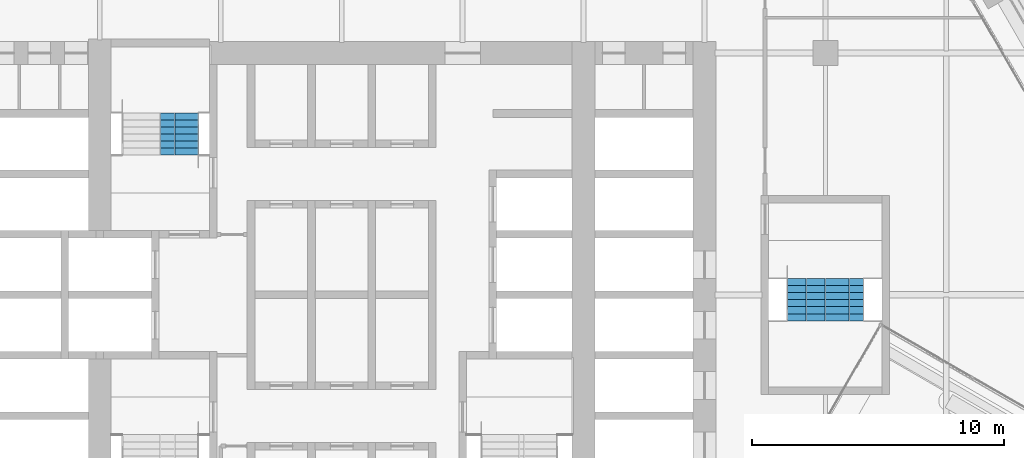
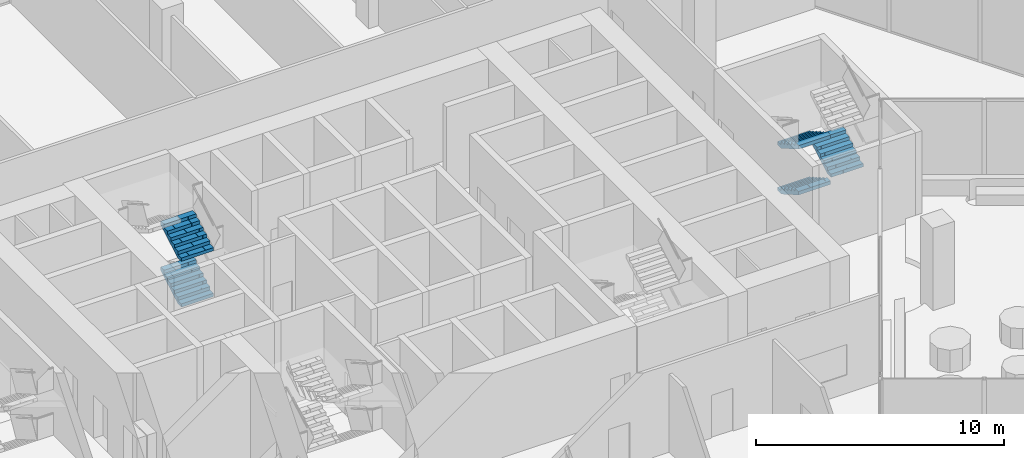
# One storey, part 21 of 25: 5 stair flights, 2 elements without a shape of their own.
"""IFC4 building model written with IfcOpenShell, lengths in metres."""

from ifc_helpers import new_model, si_unit, direction, frame, origin, place, context, subcontext, project, spatial, polyline, outline, extrude, material, type_object, element, aggregate, save


model = new_model("IFC4")

# Units and contexts
model_context = context("Model", 3, precision=1e-05, world=origin(), true_north=direction((0.0, 1.0)))
body_context = subcontext(model_context, "Body", "Model", "MODEL_VIEW")
ifc_project = project(units=[si_unit("LENGTHUNIT", "METRE"), si_unit("AREAUNIT", "SQUARE_METRE"), si_unit("VOLUMEUNIT", "CUBIC_METRE"), si_unit("PLANEANGLEUNIT", "RADIAN"), si_unit("MASSUNIT", "GRAM", prefix="KILO")], contexts=[model_context])

# Site, building, storey
site_placement = place(None, origin())
site = spatial("IfcSite", under=ifc_project, at=site_placement, CompositionType="ELEMENT")
building_placement = place(site_placement, origin())
building = spatial("IfcBuilding", under=site, at=building_placement, Name="Kolab Exchange Tower", CompositionType="ELEMENT")
storey_placement = place(building_placement, frame((0.0, 0.0, 91.39990234375)))
storey = spatial("IfcBuildingStorey", under=building, at=storey_placement, Name="L17", CompositionType="ELEMENT", Elevation=91.39990234375)

# Stair, stair flights
ifc_material = material(Name="Concrete C50/60", Category="concrete")
stair_type_1 = type_object("IfcStairType", Name="STAIR ST1 RISER 160.7", PredefinedType="DOUBLE_RETURN_STAIR", material=ifc_material)
stair_1_placement = place(storey_placement, origin())
stair_1 = element("IfcStair", 1, at=stair_1_placement, inside=storey, type_object=stair_type_1, Name="Stair 1", PredefinedType="DOUBLE_RETURN_STAIR")
stair_flight_type = type_object("IfcStairFlightType", Name="STAIR FLIGHT 1500 RISER 160.7", PredefinedType="STRAIGHT", material=ifc_material)
stair_flight_1_placement = place(storey_placement, frame((-6.43994140625, 5.550048828125, 0.0), z_axis=(0.0, 0.0, 1.0), x_axis=(0.0, 1.0, 0.0)))
stair_flight_1 = element("IfcStairFlight", 2, at=stair_flight_1_placement, type_object=stair_flight_type, Name="ST1 flight 1", NumberOfRisers=7, NumberOfTreads=6, PredefinedType="STRAIGHT", RiserHeight=0.160714286, TreadLength=0.28, context=body_context, shape_type="SweptSolid", body=[
    extrude(outline(polyline([(0.0, 0.0), (0.0, 0.16064453125), (0.280029296875, 0.16064453125), (0.280029296875, 0.321533203125), (0.56005859375, 0.321533203125), (0.56005859375, 0.482177734375), (0.840087890625, 0.482177734375), (0.840087890625, 0.642822265625), (1.1201171875, 0.642822265625), (1.1201171875, 0.803466796875), (1.39990234375, 0.803466796875), (1.39990234375, 0.96435546875), (1.679931640625, 0.96435546875), (1.679931640625, 1.125), (1.679931640625, 0.79150390625), (0.301025390625, 0.0), (0.0, 0.0)])), frame((0.0, 0.75, 0.0), z_axis=(0.0, -1.0, 0.0), x_axis=(1.0, 0.0, 0.0)), (0.0, 0.0, 1.0), 0.185791015625),
    extrude(outline(polyline([(0.0, 0.0), (0.0, 0.16064453125), (0.280029296875, 0.16064453125), (0.280029296875, 0.321533203125), (0.56005859375, 0.321533203125), (0.56005859375, 0.482177734375), (0.840087890625, 0.482177734375), (0.840087890625, 0.642822265625), (1.1201171875, 0.642822265625), (1.1201171875, 0.803466796875), (1.39990234375, 0.803466796875), (1.39990234375, 0.96435546875), (1.679931640625, 0.96435546875), (1.679931640625, 1.125), (1.679931640625, 0.79150390625), (0.301025390625, 0.0), (0.0, 0.0)])), frame((0.0, 0.562255859375, 0.0), z_axis=(0.0, -1.0, 0.0), x_axis=(1.0, 0.0, 0.0)), (0.0, 0.0, 1.0), 0.185791015625),
    extrude(outline(polyline([(0.0, 0.0), (0.0, 0.16064453125), (0.280029296875, 0.16064453125), (0.280029296875, 0.321533203125), (0.56005859375, 0.321533203125), (0.56005859375, 0.482177734375), (0.840087890625, 0.482177734375), (0.840087890625, 0.642822265625), (1.1201171875, 0.642822265625), (1.1201171875, 0.803466796875), (1.39990234375, 0.803466796875), (1.39990234375, 0.96435546875), (1.679931640625, 0.96435546875), (1.679931640625, 1.125), (1.679931640625, 0.79150390625), (0.301025390625, 0.0), (0.0, 0.0)])), frame((0.0, 0.37451171875, 0.0), z_axis=(0.0, -1.0, 0.0), x_axis=(1.0, 0.0, 0.0)), (0.0, 0.0, 1.0), 0.185791015625),
    extrude(outline(polyline([(0.0, 0.0), (0.0, 0.16064453125), (0.280029296875, 0.16064453125), (0.280029296875, 0.321533203125), (0.56005859375, 0.321533203125), (0.56005859375, 0.482177734375), (0.840087890625, 0.482177734375), (0.840087890625, 0.642822265625), (1.1201171875, 0.642822265625), (1.1201171875, 0.803466796875), (1.39990234375, 0.803466796875), (1.39990234375, 0.96435546875), (1.679931640625, 0.96435546875), (1.679931640625, 1.125), (1.679931640625, 0.79150390625), (0.301025390625, 0.0), (0.0, 0.0)])), frame((0.0, 0.186767578125, 0.0), z_axis=(0.0, -1.0, 0.0), x_axis=(1.0, 0.0, 0.0)), (0.0, 0.0, 1.0), 0.185791015625),
    extrude(outline(polyline([(0.0, 0.0), (0.0, 0.16064453125), (0.280029296875, 0.16064453125), (0.280029296875, 0.321533203125), (0.56005859375, 0.321533203125), (0.56005859375, 0.482177734375), (0.840087890625, 0.482177734375), (0.840087890625, 0.642822265625), (1.1201171875, 0.642822265625), (1.1201171875, 0.803466796875), (1.39990234375, 0.803466796875), (1.39990234375, 0.96435546875), (1.679931640625, 0.96435546875), (1.679931640625, 1.125), (1.679931640625, 0.79150390625), (0.301025390625, 0.0), (0.0, 0.0)])), frame((0.0, -0.0009765625, 0.0), z_axis=(0.0, -1.0, 0.0), x_axis=(1.0, 0.0, 0.0)), (0.0, 0.0, 1.0), 0.185791015625),
    extrude(outline(polyline([(0.0, 0.0), (0.0, 0.16064453125), (0.280029296875, 0.16064453125), (0.280029296875, 0.321533203125), (0.56005859375, 0.321533203125), (0.56005859375, 0.482177734375), (0.840087890625, 0.482177734375), (0.840087890625, 0.642822265625), (1.1201171875, 0.642822265625), (1.1201171875, 0.803466796875), (1.39990234375, 0.803466796875), (1.39990234375, 0.96435546875), (1.679931640625, 0.96435546875), (1.679931640625, 1.125), (1.679931640625, 0.79150390625), (0.301025390625, 0.0), (0.0, 0.0)])), frame((0.0, -0.188720703125, 0.0), z_axis=(0.0, -1.0, 0.0), x_axis=(1.0, 0.0, 0.0)), (0.0, 0.0, 1.0), 0.185791015625),
    extrude(outline(polyline([(0.0, 0.0), (0.0, 0.16064453125), (0.280029296875, 0.16064453125), (0.280029296875, 0.321533203125), (0.56005859375, 0.321533203125), (0.56005859375, 0.482177734375), (0.840087890625, 0.482177734375), (0.840087890625, 0.642822265625), (1.1201171875, 0.642822265625), (1.1201171875, 0.803466796875), (1.39990234375, 0.803466796875), (1.39990234375, 0.96435546875), (1.679931640625, 0.96435546875), (1.679931640625, 1.125), (1.679931640625, 0.79150390625), (0.301025390625, 0.0), (0.0, 0.0)])), frame((0.0, -0.37646484375, 0.0), z_axis=(0.0, -1.0, 0.0), x_axis=(1.0, 0.0, 0.0)), (0.0, 0.0, 1.0), 0.185791015625),
    extrude(outline(polyline([(0.0, 0.0), (0.0, 0.16064453125), (0.280029296875, 0.16064453125), (0.280029296875, 0.321533203125), (0.56005859375, 0.321533203125), (0.56005859375, 0.482177734375), (0.840087890625, 0.482177734375), (0.840087890625, 0.642822265625), (1.1201171875, 0.642822265625), (1.1201171875, 0.803466796875), (1.39990234375, 0.803466796875), (1.39990234375, 0.96435546875), (1.679931640625, 0.96435546875), (1.679931640625, 1.125), (1.679931640625, 0.79150390625), (0.301025390625, 0.0), (0.0, 0.0)])), frame((0.0, -0.564208984375, 0.0), z_axis=(0.0, -1.0, 0.0), x_axis=(1.0, 0.0, 0.0)), (0.0, 0.0, 1.0), 0.185791015625),
])
stair_flight_2_placement = place(storey_placement, frame((-6.43994140625, 5.550048828125, 2.25), z_axis=(0.0, 0.0, 1.0), x_axis=(0.0, 1.0, 0.0)))
stair_flight_2 = element("IfcStairFlight", 3, at=stair_flight_2_placement, type_object=stair_flight_type, Name="ST1 flight 3", NumberOfRisers=7, NumberOfTreads=6, PredefinedType="STRAIGHT", RiserHeight=0.160714286, TreadLength=0.28, context=body_context, shape_type="SweptSolid", body=[
    extrude(outline(polyline([(0.0, 0.0), (0.0, 0.16064453125), (0.280029296875, 0.16064453125), (0.280029296875, 0.321533203125), (0.56005859375, 0.321533203125), (0.56005859375, 0.482177734375), (0.840087890625, 0.482177734375), (0.840087890625, 0.642822265625), (1.1201171875, 0.642822265625), (1.1201171875, 0.803466796875), (1.39990234375, 0.803466796875), (1.39990234375, 0.96435546875), (1.679931640625, 0.96435546875), (1.679931640625, 1.125), (1.679931640625, 0.79150390625), (0.301025390625, 0.0), (0.0, 0.0)])), frame((0.0, 0.75, 0.0), z_axis=(0.0, -1.0, 0.0), x_axis=(1.0, 0.0, 0.0)), (0.0, 0.0, 1.0), 0.185791015625),
    extrude(outline(polyline([(0.0, 0.0), (0.0, 0.16064453125), (0.280029296875, 0.16064453125), (0.280029296875, 0.321533203125), (0.56005859375, 0.321533203125), (0.56005859375, 0.482177734375), (0.840087890625, 0.482177734375), (0.840087890625, 0.642822265625), (1.1201171875, 0.642822265625), (1.1201171875, 0.803466796875), (1.39990234375, 0.803466796875), (1.39990234375, 0.96435546875), (1.679931640625, 0.96435546875), (1.679931640625, 1.125), (1.679931640625, 0.79150390625), (0.301025390625, 0.0), (0.0, 0.0)])), frame((0.0, 0.562255859375, 0.0), z_axis=(0.0, -1.0, 0.0), x_axis=(1.0, 0.0, 0.0)), (0.0, 0.0, 1.0), 0.185791015625),
    extrude(outline(polyline([(0.0, 0.0), (0.0, 0.16064453125), (0.280029296875, 0.16064453125), (0.280029296875, 0.321533203125), (0.56005859375, 0.321533203125), (0.56005859375, 0.482177734375), (0.840087890625, 0.482177734375), (0.840087890625, 0.642822265625), (1.1201171875, 0.642822265625), (1.1201171875, 0.803466796875), (1.39990234375, 0.803466796875), (1.39990234375, 0.96435546875), (1.679931640625, 0.96435546875), (1.679931640625, 1.125), (1.679931640625, 0.79150390625), (0.301025390625, 0.0), (0.0, 0.0)])), frame((0.0, 0.37451171875, 0.0), z_axis=(0.0, -1.0, 0.0), x_axis=(1.0, 0.0, 0.0)), (0.0, 0.0, 1.0), 0.185791015625),
    extrude(outline(polyline([(0.0, 0.0), (0.0, 0.16064453125), (0.280029296875, 0.16064453125), (0.280029296875, 0.321533203125), (0.56005859375, 0.321533203125), (0.56005859375, 0.482177734375), (0.840087890625, 0.482177734375), (0.840087890625, 0.642822265625), (1.1201171875, 0.642822265625), (1.1201171875, 0.803466796875), (1.39990234375, 0.803466796875), (1.39990234375, 0.96435546875), (1.679931640625, 0.96435546875), (1.679931640625, 1.125), (1.679931640625, 0.79150390625), (0.301025390625, 0.0), (0.0, 0.0)])), frame((0.0, 0.186767578125, 0.0), z_axis=(0.0, -1.0, 0.0), x_axis=(1.0, 0.0, 0.0)), (0.0, 0.0, 1.0), 0.185791015625),
    extrude(outline(polyline([(0.0, 0.0), (0.0, 0.16064453125), (0.280029296875, 0.16064453125), (0.280029296875, 0.321533203125), (0.56005859375, 0.321533203125), (0.56005859375, 0.482177734375), (0.840087890625, 0.482177734375), (0.840087890625, 0.642822265625), (1.1201171875, 0.642822265625), (1.1201171875, 0.803466796875), (1.39990234375, 0.803466796875), (1.39990234375, 0.96435546875), (1.679931640625, 0.96435546875), (1.679931640625, 1.125), (1.679931640625, 0.79150390625), (0.301025390625, 0.0), (0.0, 0.0)])), frame((0.0, -0.0009765625, 0.0), z_axis=(0.0, -1.0, 0.0), x_axis=(1.0, 0.0, 0.0)), (0.0, 0.0, 1.0), 0.185791015625),
    extrude(outline(polyline([(0.0, 0.0), (0.0, 0.16064453125), (0.280029296875, 0.16064453125), (0.280029296875, 0.321533203125), (0.56005859375, 0.321533203125), (0.56005859375, 0.482177734375), (0.840087890625, 0.482177734375), (0.840087890625, 0.642822265625), (1.1201171875, 0.642822265625), (1.1201171875, 0.803466796875), (1.39990234375, 0.803466796875), (1.39990234375, 0.96435546875), (1.679931640625, 0.96435546875), (1.679931640625, 1.125), (1.679931640625, 0.79150390625), (0.301025390625, 0.0), (0.0, 0.0)])), frame((0.0, -0.188720703125, 0.0), z_axis=(0.0, -1.0, 0.0), x_axis=(1.0, 0.0, 0.0)), (0.0, 0.0, 1.0), 0.185791015625),
    extrude(outline(polyline([(0.0, 0.0), (0.0, 0.16064453125), (0.280029296875, 0.16064453125), (0.280029296875, 0.321533203125), (0.56005859375, 0.321533203125), (0.56005859375, 0.482177734375), (0.840087890625, 0.482177734375), (0.840087890625, 0.642822265625), (1.1201171875, 0.642822265625), (1.1201171875, 0.803466796875), (1.39990234375, 0.803466796875), (1.39990234375, 0.96435546875), (1.679931640625, 0.96435546875), (1.679931640625, 1.125), (1.679931640625, 0.79150390625), (0.301025390625, 0.0), (0.0, 0.0)])), frame((0.0, -0.37646484375, 0.0), z_axis=(0.0, -1.0, 0.0), x_axis=(1.0, 0.0, 0.0)), (0.0, 0.0, 1.0), 0.185791015625),
    extrude(outline(polyline([(0.0, 0.0), (0.0, 0.16064453125), (0.280029296875, 0.16064453125), (0.280029296875, 0.321533203125), (0.56005859375, 0.321533203125), (0.56005859375, 0.482177734375), (0.840087890625, 0.482177734375), (0.840087890625, 0.642822265625), (1.1201171875, 0.642822265625), (1.1201171875, 0.803466796875), (1.39990234375, 0.803466796875), (1.39990234375, 0.96435546875), (1.679931640625, 0.96435546875), (1.679931640625, 1.125), (1.679931640625, 0.79150390625), (0.301025390625, 0.0), (0.0, 0.0)])), frame((0.0, -0.564208984375, 0.0), z_axis=(0.0, -1.0, 0.0), x_axis=(1.0, 0.0, 0.0)), (0.0, 0.0, 1.0), 0.185791015625),
])
aggregate(stair_1, [stair_flight_1, stair_flight_2])

stair_type_2 = type_object("IfcStairType", Name="STAIR ST4 RISER 160.7", PredefinedType="DOUBLE_RETURN_STAIR", material=ifc_material)
stair_2_placement = place(storey_placement, origin())
stair_2 = element("IfcStair", 4, at=stair_2_placement, inside=storey, type_object=stair_type_2, Name="Stair 4", PredefinedType="DOUBLE_RETURN_STAIR")
stair_flight_3_placement = place(storey_placement, frame((18.43994140625, 0.64990234375, 0.0), z_axis=(0.0, 0.0, 1.0), x_axis=(0.0, -1.0, 0.0)))
stair_flight_3 = element("IfcStairFlight", 5, at=stair_flight_3_placement, type_object=stair_flight_type, Name="ST4 flight 1", NumberOfRisers=7, NumberOfTreads=6, PredefinedType="STRAIGHT", RiserHeight=0.160714286, TreadLength=0.28, context=body_context, shape_type="SweptSolid", body=[
    extrude(outline(polyline([(0.0, 0.0), (0.0, 0.16064453125), (0.280029296875, 0.16064453125), (0.280029296875, 0.321533203125), (0.56005859375, 0.321533203125), (0.56005859375, 0.482177734375), (0.840087890625, 0.482177734375), (0.840087890625, 0.642822265625), (1.1201171875, 0.642822265625), (1.1201171875, 0.803466796875), (1.39990234375, 0.803466796875), (1.39990234375, 0.96435546875), (1.679931640625, 0.96435546875), (1.679931640625, 1.125), (1.679931640625, 0.79150390625), (0.301025390625, 0.0), (0.0, 0.0)])), frame((0.0, 0.75, 0.0), z_axis=(0.0, -1.0, 0.0), x_axis=(1.0, 0.0, 0.0)), (0.0, 0.0, 1.0), 0.185791015625),
    extrude(outline(polyline([(0.0, 0.0), (0.0, 0.16064453125), (0.280029296875, 0.16064453125), (0.280029296875, 0.321533203125), (0.56005859375, 0.321533203125), (0.56005859375, 0.482177734375), (0.840087890625, 0.482177734375), (0.840087890625, 0.642822265625), (1.1201171875, 0.642822265625), (1.1201171875, 0.803466796875), (1.39990234375, 0.803466796875), (1.39990234375, 0.96435546875), (1.679931640625, 0.96435546875), (1.679931640625, 1.125), (1.679931640625, 0.79150390625), (0.301025390625, 0.0), (0.0, 0.0)])), frame((0.0, 0.562255859375, 0.0), z_axis=(0.0, -1.0, 0.0), x_axis=(1.0, 0.0, 0.0)), (0.0, 0.0, 1.0), 0.185791015625),
    extrude(outline(polyline([(0.0, 0.0), (0.0, 0.16064453125), (0.280029296875, 0.16064453125), (0.280029296875, 0.321533203125), (0.56005859375, 0.321533203125), (0.56005859375, 0.482177734375), (0.840087890625, 0.482177734375), (0.840087890625, 0.642822265625), (1.1201171875, 0.642822265625), (1.1201171875, 0.803466796875), (1.39990234375, 0.803466796875), (1.39990234375, 0.96435546875), (1.679931640625, 0.96435546875), (1.679931640625, 1.125), (1.679931640625, 0.79150390625), (0.301025390625, 0.0), (0.0, 0.0)])), frame((0.0, 0.37451171875, 0.0), z_axis=(0.0, -1.0, 0.0), x_axis=(1.0, 0.0, 0.0)), (0.0, 0.0, 1.0), 0.185791015625),
    extrude(outline(polyline([(0.0, 0.0), (0.0, 0.16064453125), (0.280029296875, 0.16064453125), (0.280029296875, 0.321533203125), (0.56005859375, 0.321533203125), (0.56005859375, 0.482177734375), (0.840087890625, 0.482177734375), (0.840087890625, 0.642822265625), (1.1201171875, 0.642822265625), (1.1201171875, 0.803466796875), (1.39990234375, 0.803466796875), (1.39990234375, 0.96435546875), (1.679931640625, 0.96435546875), (1.679931640625, 1.125), (1.679931640625, 0.79150390625), (0.301025390625, 0.0), (0.0, 0.0)])), frame((0.0, 0.186767578125, 0.0), z_axis=(0.0, -1.0, 0.0), x_axis=(1.0, 0.0, 0.0)), (0.0, 0.0, 1.0), 0.185791015625),
    extrude(outline(polyline([(0.0, 0.0), (0.0, 0.16064453125), (0.280029296875, 0.16064453125), (0.280029296875, 0.321533203125), (0.56005859375, 0.321533203125), (0.56005859375, 0.482177734375), (0.840087890625, 0.482177734375), (0.840087890625, 0.642822265625), (1.1201171875, 0.642822265625), (1.1201171875, 0.803466796875), (1.39990234375, 0.803466796875), (1.39990234375, 0.96435546875), (1.679931640625, 0.96435546875), (1.679931640625, 1.125), (1.679931640625, 0.79150390625), (0.301025390625, 0.0), (0.0, 0.0)])), frame((0.0, -0.0009765625, 0.0), z_axis=(0.0, -1.0, 0.0), x_axis=(1.0, 0.0, 0.0)), (0.0, 0.0, 1.0), 0.185791015625),
    extrude(outline(polyline([(0.0, 0.0), (0.0, 0.16064453125), (0.280029296875, 0.16064453125), (0.280029296875, 0.321533203125), (0.56005859375, 0.321533203125), (0.56005859375, 0.482177734375), (0.840087890625, 0.482177734375), (0.840087890625, 0.642822265625), (1.1201171875, 0.642822265625), (1.1201171875, 0.803466796875), (1.39990234375, 0.803466796875), (1.39990234375, 0.96435546875), (1.679931640625, 0.96435546875), (1.679931640625, 1.125), (1.679931640625, 0.79150390625), (0.301025390625, 0.0), (0.0, 0.0)])), frame((0.0, -0.188720703125, 0.0), z_axis=(0.0, -1.0, 0.0), x_axis=(1.0, 0.0, 0.0)), (0.0, 0.0, 1.0), 0.185791015625),
    extrude(outline(polyline([(0.0, 0.0), (0.0, 0.16064453125), (0.280029296875, 0.16064453125), (0.280029296875, 0.321533203125), (0.56005859375, 0.321533203125), (0.56005859375, 0.482177734375), (0.840087890625, 0.482177734375), (0.840087890625, 0.642822265625), (1.1201171875, 0.642822265625), (1.1201171875, 0.803466796875), (1.39990234375, 0.803466796875), (1.39990234375, 0.96435546875), (1.679931640625, 0.96435546875), (1.679931640625, 1.125), (1.679931640625, 0.79150390625), (0.301025390625, 0.0), (0.0, 0.0)])), frame((0.0, -0.37646484375, 0.0), z_axis=(0.0, -1.0, 0.0), x_axis=(1.0, 0.0, 0.0)), (0.0, 0.0, 1.0), 0.185791015625),
    extrude(outline(polyline([(0.0, 0.0), (0.0, 0.16064453125), (0.280029296875, 0.16064453125), (0.280029296875, 0.321533203125), (0.56005859375, 0.321533203125), (0.56005859375, 0.482177734375), (0.840087890625, 0.482177734375), (0.840087890625, 0.642822265625), (1.1201171875, 0.642822265625), (1.1201171875, 0.803466796875), (1.39990234375, 0.803466796875), (1.39990234375, 0.96435546875), (1.679931640625, 0.96435546875), (1.679931640625, 1.125), (1.679931640625, 0.79150390625), (0.301025390625, 0.0), (0.0, 0.0)])), frame((0.0, -0.564208984375, 0.0), z_axis=(0.0, -1.0, 0.0), x_axis=(1.0, 0.0, 0.0)), (0.0, 0.0, 1.0), 0.185791015625),
])
stair_flight_4_placement = place(storey_placement, frame((19.9599609375, -1.030029296875, 1.125), z_axis=(0.0, 0.0, 1.0), x_axis=(0.0, 1.0, 0.0)))
stair_flight_4 = element("IfcStairFlight", 6, at=stair_flight_4_placement, type_object=stair_flight_type, Name="ST4 flight 2", NumberOfRisers=7, NumberOfTreads=6, PredefinedType="STRAIGHT", RiserHeight=0.160714286, TreadLength=0.28, context=body_context, shape_type="SweptSolid", body=[
    extrude(outline(polyline([(0.0, 0.0), (0.0, 0.16064453125), (0.280029296875, 0.16064453125), (0.280029296875, 0.321533203125), (0.56005859375, 0.321533203125), (0.56005859375, 0.482177734375), (0.840087890625, 0.482177734375), (0.840087890625, 0.642822265625), (1.1201171875, 0.642822265625), (1.1201171875, 0.803466796875), (1.39990234375, 0.803466796875), (1.39990234375, 0.96435546875), (1.679931640625, 0.96435546875), (1.679931640625, 1.125), (1.679931640625, 0.79150390625), (0.301025390625, 0.0), (0.0, 0.0)])), frame((0.0, 0.75, 0.0), z_axis=(0.0, -1.0, 0.0), x_axis=(1.0, 0.0, 0.0)), (0.0, 0.0, 1.0), 0.185791015625),
    extrude(outline(polyline([(0.0, 0.0), (0.0, 0.16064453125), (0.280029296875, 0.16064453125), (0.280029296875, 0.321533203125), (0.56005859375, 0.321533203125), (0.56005859375, 0.482177734375), (0.840087890625, 0.482177734375), (0.840087890625, 0.642822265625), (1.1201171875, 0.642822265625), (1.1201171875, 0.803466796875), (1.39990234375, 0.803466796875), (1.39990234375, 0.96435546875), (1.679931640625, 0.96435546875), (1.679931640625, 1.125), (1.679931640625, 0.79150390625), (0.301025390625, 0.0), (0.0, 0.0)])), frame((0.0, 0.562255859375, 0.0), z_axis=(0.0, -1.0, 0.0), x_axis=(1.0, 0.0, 0.0)), (0.0, 0.0, 1.0), 0.185791015625),
    extrude(outline(polyline([(0.0, 0.0), (0.0, 0.16064453125), (0.280029296875, 0.16064453125), (0.280029296875, 0.321533203125), (0.56005859375, 0.321533203125), (0.56005859375, 0.482177734375), (0.840087890625, 0.482177734375), (0.840087890625, 0.642822265625), (1.1201171875, 0.642822265625), (1.1201171875, 0.803466796875), (1.39990234375, 0.803466796875), (1.39990234375, 0.96435546875), (1.679931640625, 0.96435546875), (1.679931640625, 1.125), (1.679931640625, 0.79150390625), (0.301025390625, 0.0), (0.0, 0.0)])), frame((0.0, 0.37451171875, 0.0), z_axis=(0.0, -1.0, 0.0), x_axis=(1.0, 0.0, 0.0)), (0.0, 0.0, 1.0), 0.185791015625),
    extrude(outline(polyline([(0.0, 0.0), (0.0, 0.16064453125), (0.280029296875, 0.16064453125), (0.280029296875, 0.321533203125), (0.56005859375, 0.321533203125), (0.56005859375, 0.482177734375), (0.840087890625, 0.482177734375), (0.840087890625, 0.642822265625), (1.1201171875, 0.642822265625), (1.1201171875, 0.803466796875), (1.39990234375, 0.803466796875), (1.39990234375, 0.96435546875), (1.679931640625, 0.96435546875), (1.679931640625, 1.125), (1.679931640625, 0.79150390625), (0.301025390625, 0.0), (0.0, 0.0)])), frame((0.0, 0.186767578125, 0.0), z_axis=(0.0, -1.0, 0.0), x_axis=(1.0, 0.0, 0.0)), (0.0, 0.0, 1.0), 0.185791015625),
    extrude(outline(polyline([(0.0, 0.0), (0.0, 0.16064453125), (0.280029296875, 0.16064453125), (0.280029296875, 0.321533203125), (0.56005859375, 0.321533203125), (0.56005859375, 0.482177734375), (0.840087890625, 0.482177734375), (0.840087890625, 0.642822265625), (1.1201171875, 0.642822265625), (1.1201171875, 0.803466796875), (1.39990234375, 0.803466796875), (1.39990234375, 0.96435546875), (1.679931640625, 0.96435546875), (1.679931640625, 1.125), (1.679931640625, 0.79150390625), (0.301025390625, 0.0), (0.0, 0.0)])), frame((0.0, -0.0009765625, 0.0), z_axis=(0.0, -1.0, 0.0), x_axis=(1.0, 0.0, 0.0)), (0.0, 0.0, 1.0), 0.185791015625),
    extrude(outline(polyline([(0.0, 0.0), (0.0, 0.16064453125), (0.280029296875, 0.16064453125), (0.280029296875, 0.321533203125), (0.56005859375, 0.321533203125), (0.56005859375, 0.482177734375), (0.840087890625, 0.482177734375), (0.840087890625, 0.642822265625), (1.1201171875, 0.642822265625), (1.1201171875, 0.803466796875), (1.39990234375, 0.803466796875), (1.39990234375, 0.96435546875), (1.679931640625, 0.96435546875), (1.679931640625, 1.125), (1.679931640625, 0.79150390625), (0.301025390625, 0.0), (0.0, 0.0)])), frame((0.0, -0.188720703125, 0.0), z_axis=(0.0, -1.0, 0.0), x_axis=(1.0, 0.0, 0.0)), (0.0, 0.0, 1.0), 0.185791015625),
    extrude(outline(polyline([(0.0, 0.0), (0.0, 0.16064453125), (0.280029296875, 0.16064453125), (0.280029296875, 0.321533203125), (0.56005859375, 0.321533203125), (0.56005859375, 0.482177734375), (0.840087890625, 0.482177734375), (0.840087890625, 0.642822265625), (1.1201171875, 0.642822265625), (1.1201171875, 0.803466796875), (1.39990234375, 0.803466796875), (1.39990234375, 0.96435546875), (1.679931640625, 0.96435546875), (1.679931640625, 1.125), (1.679931640625, 0.79150390625), (0.301025390625, 0.0), (0.0, 0.0)])), frame((0.0, -0.37646484375, 0.0), z_axis=(0.0, -1.0, 0.0), x_axis=(1.0, 0.0, 0.0)), (0.0, 0.0, 1.0), 0.185791015625),
    extrude(outline(polyline([(0.0, 0.0), (0.0, 0.16064453125), (0.280029296875, 0.16064453125), (0.280029296875, 0.321533203125), (0.56005859375, 0.321533203125), (0.56005859375, 0.482177734375), (0.840087890625, 0.482177734375), (0.840087890625, 0.642822265625), (1.1201171875, 0.642822265625), (1.1201171875, 0.803466796875), (1.39990234375, 0.803466796875), (1.39990234375, 0.96435546875), (1.679931640625, 0.96435546875), (1.679931640625, 1.125), (1.679931640625, 0.79150390625), (0.301025390625, 0.0), (0.0, 0.0)])), frame((0.0, -0.564208984375, 0.0), z_axis=(0.0, -1.0, 0.0), x_axis=(1.0, 0.0, 0.0)), (0.0, 0.0, 1.0), 0.185791015625),
])
stair_flight_5_placement = place(storey_placement, frame((18.43994140625, 0.64990234375, 2.25), z_axis=(0.0, 0.0, 1.0), x_axis=(0.0, -1.0, 0.0)))
stair_flight_5 = element("IfcStairFlight", 7, at=stair_flight_5_placement, type_object=stair_flight_type, Name="ST4 flight 3", NumberOfRisers=7, NumberOfTreads=6, PredefinedType="STRAIGHT", RiserHeight=0.160714286, TreadLength=0.28, context=body_context, shape_type="SweptSolid", body=[
    extrude(outline(polyline([(0.0, 0.0), (0.0, 0.16064453125), (0.280029296875, 0.16064453125), (0.280029296875, 0.321533203125), (0.56005859375, 0.321533203125), (0.56005859375, 0.482177734375), (0.840087890625, 0.482177734375), (0.840087890625, 0.642822265625), (1.1201171875, 0.642822265625), (1.1201171875, 0.803466796875), (1.39990234375, 0.803466796875), (1.39990234375, 0.96435546875), (1.679931640625, 0.96435546875), (1.679931640625, 1.125), (1.679931640625, 0.79150390625), (0.301025390625, 0.0), (0.0, 0.0)])), frame((0.0, 0.75, 0.0), z_axis=(0.0, -1.0, 0.0), x_axis=(1.0, 0.0, 0.0)), (0.0, 0.0, 1.0), 0.185791015625),
    extrude(outline(polyline([(0.0, 0.0), (0.0, 0.16064453125), (0.280029296875, 0.16064453125), (0.280029296875, 0.321533203125), (0.56005859375, 0.321533203125), (0.56005859375, 0.482177734375), (0.840087890625, 0.482177734375), (0.840087890625, 0.642822265625), (1.1201171875, 0.642822265625), (1.1201171875, 0.803466796875), (1.39990234375, 0.803466796875), (1.39990234375, 0.96435546875), (1.679931640625, 0.96435546875), (1.679931640625, 1.125), (1.679931640625, 0.79150390625), (0.301025390625, 0.0), (0.0, 0.0)])), frame((0.0, 0.562255859375, 0.0), z_axis=(0.0, -1.0, 0.0), x_axis=(1.0, 0.0, 0.0)), (0.0, 0.0, 1.0), 0.185791015625),
    extrude(outline(polyline([(0.0, 0.0), (0.0, 0.16064453125), (0.280029296875, 0.16064453125), (0.280029296875, 0.321533203125), (0.56005859375, 0.321533203125), (0.56005859375, 0.482177734375), (0.840087890625, 0.482177734375), (0.840087890625, 0.642822265625), (1.1201171875, 0.642822265625), (1.1201171875, 0.803466796875), (1.39990234375, 0.803466796875), (1.39990234375, 0.96435546875), (1.679931640625, 0.96435546875), (1.679931640625, 1.125), (1.679931640625, 0.79150390625), (0.301025390625, 0.0), (0.0, 0.0)])), frame((0.0, 0.37451171875, 0.0), z_axis=(0.0, -1.0, 0.0), x_axis=(1.0, 0.0, 0.0)), (0.0, 0.0, 1.0), 0.185791015625),
    extrude(outline(polyline([(0.0, 0.0), (0.0, 0.16064453125), (0.280029296875, 0.16064453125), (0.280029296875, 0.321533203125), (0.56005859375, 0.321533203125), (0.56005859375, 0.482177734375), (0.840087890625, 0.482177734375), (0.840087890625, 0.642822265625), (1.1201171875, 0.642822265625), (1.1201171875, 0.803466796875), (1.39990234375, 0.803466796875), (1.39990234375, 0.96435546875), (1.679931640625, 0.96435546875), (1.679931640625, 1.125), (1.679931640625, 0.79150390625), (0.301025390625, 0.0), (0.0, 0.0)])), frame((0.0, 0.186767578125, 0.0), z_axis=(0.0, -1.0, 0.0), x_axis=(1.0, 0.0, 0.0)), (0.0, 0.0, 1.0), 0.185791015625),
    extrude(outline(polyline([(0.0, 0.0), (0.0, 0.16064453125), (0.280029296875, 0.16064453125), (0.280029296875, 0.321533203125), (0.56005859375, 0.321533203125), (0.56005859375, 0.482177734375), (0.840087890625, 0.482177734375), (0.840087890625, 0.642822265625), (1.1201171875, 0.642822265625), (1.1201171875, 0.803466796875), (1.39990234375, 0.803466796875), (1.39990234375, 0.96435546875), (1.679931640625, 0.96435546875), (1.679931640625, 1.125), (1.679931640625, 0.79150390625), (0.301025390625, 0.0), (0.0, 0.0)])), frame((0.0, -0.0009765625, 0.0), z_axis=(0.0, -1.0, 0.0), x_axis=(1.0, 0.0, 0.0)), (0.0, 0.0, 1.0), 0.185791015625),
    extrude(outline(polyline([(0.0, 0.0), (0.0, 0.16064453125), (0.280029296875, 0.16064453125), (0.280029296875, 0.321533203125), (0.56005859375, 0.321533203125), (0.56005859375, 0.482177734375), (0.840087890625, 0.482177734375), (0.840087890625, 0.642822265625), (1.1201171875, 0.642822265625), (1.1201171875, 0.803466796875), (1.39990234375, 0.803466796875), (1.39990234375, 0.96435546875), (1.679931640625, 0.96435546875), (1.679931640625, 1.125), (1.679931640625, 0.79150390625), (0.301025390625, 0.0), (0.0, 0.0)])), frame((0.0, -0.188720703125, 0.0), z_axis=(0.0, -1.0, 0.0), x_axis=(1.0, 0.0, 0.0)), (0.0, 0.0, 1.0), 0.185791015625),
    extrude(outline(polyline([(0.0, 0.0), (0.0, 0.16064453125), (0.280029296875, 0.16064453125), (0.280029296875, 0.321533203125), (0.56005859375, 0.321533203125), (0.56005859375, 0.482177734375), (0.840087890625, 0.482177734375), (0.840087890625, 0.642822265625), (1.1201171875, 0.642822265625), (1.1201171875, 0.803466796875), (1.39990234375, 0.803466796875), (1.39990234375, 0.96435546875), (1.679931640625, 0.96435546875), (1.679931640625, 1.125), (1.679931640625, 0.79150390625), (0.301025390625, 0.0), (0.0, 0.0)])), frame((0.0, -0.37646484375, 0.0), z_axis=(0.0, -1.0, 0.0), x_axis=(1.0, 0.0, 0.0)), (0.0, 0.0, 1.0), 0.185791015625),
    extrude(outline(polyline([(0.0, 0.0), (0.0, 0.16064453125), (0.280029296875, 0.16064453125), (0.280029296875, 0.321533203125), (0.56005859375, 0.321533203125), (0.56005859375, 0.482177734375), (0.840087890625, 0.482177734375), (0.840087890625, 0.642822265625), (1.1201171875, 0.642822265625), (1.1201171875, 0.803466796875), (1.39990234375, 0.803466796875), (1.39990234375, 0.96435546875), (1.679931640625, 0.96435546875), (1.679931640625, 1.125), (1.679931640625, 0.79150390625), (0.301025390625, 0.0), (0.0, 0.0)])), frame((0.0, -0.564208984375, 0.0), z_axis=(0.0, -1.0, 0.0), x_axis=(1.0, 0.0, 0.0)), (0.0, 0.0, 1.0), 0.185791015625),
])
aggregate(stair_2, [stair_flight_3, stair_flight_4, stair_flight_5])

save(model, "model.ifc")
